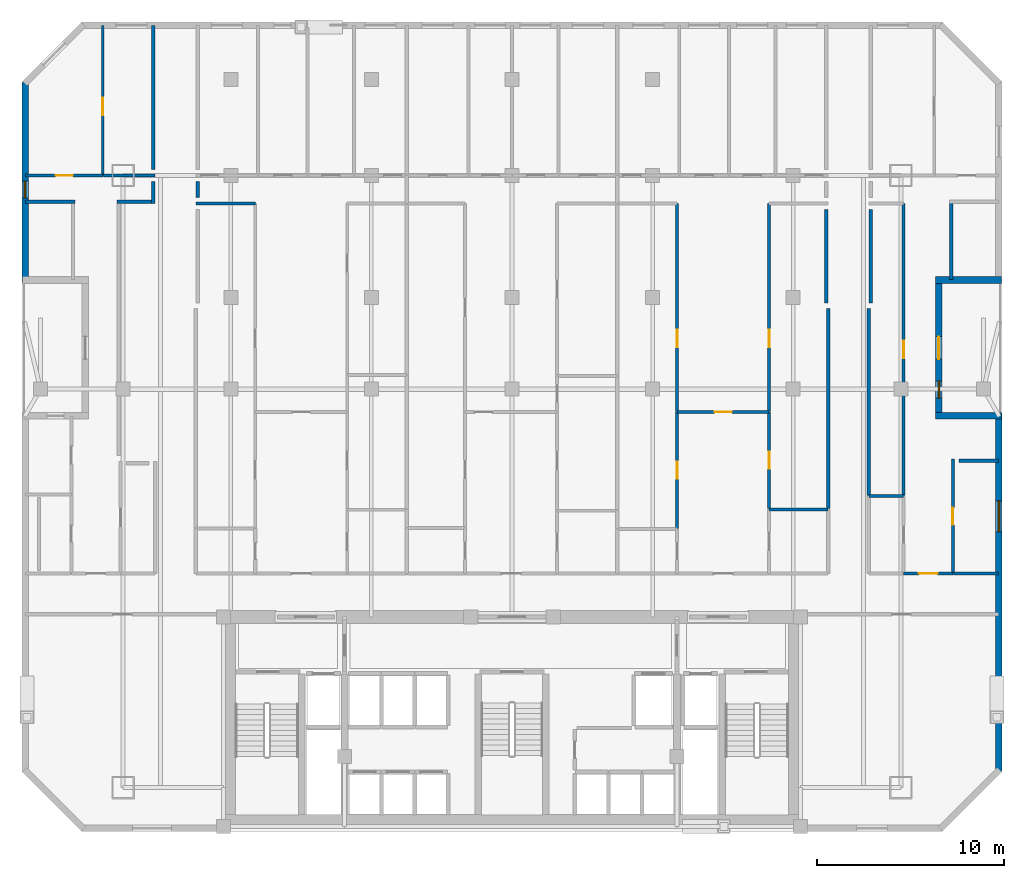
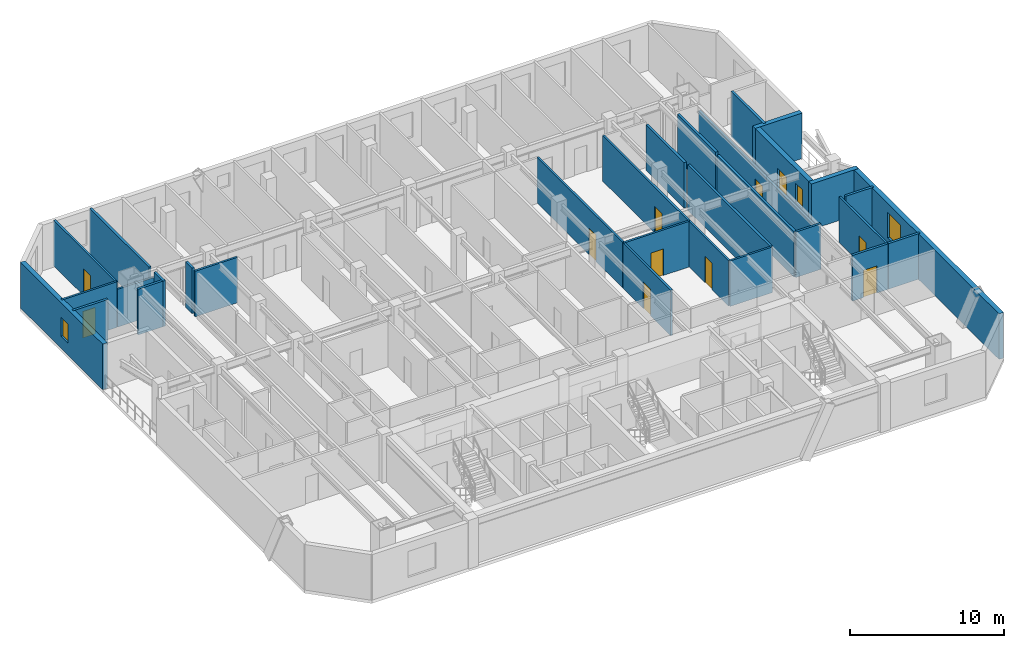
# One storey, part 6 of 11: 31 walls, 11 doors, 3 windows, 14 openings.
"""IFC4 building model written with IfcOpenShell, lengths in metres."""

from ifc_helpers import new_model, si_unit, direction, frame, frame_2d, origin, place, context, subcontext, project, spatial, rectangle, extrude, material, layer, layer_set, type_object, element, fill, save


model = new_model("IFC4")

# Units and contexts
model_context = context("Model", 3, precision=1e-05, world=origin(), true_north=direction((0.0, 1.0)))
body_context = subcontext(model_context, "Body", "Model", "MODEL_VIEW")
ifc_project = project(units=[si_unit("LENGTHUNIT", "METRE"), si_unit("AREAUNIT", "SQUARE_METRE"), si_unit("VOLUMEUNIT", "CUBIC_METRE"), si_unit("PLANEANGLEUNIT", "RADIAN"), si_unit("MASSUNIT", "GRAM", prefix="KILO")], contexts=[model_context])

# Site, building, storey
site_placement = place(None, origin())
site = spatial("IfcSite", under=ifc_project, at=site_placement, CompositionType="ELEMENT")
building_placement = place(site_placement, origin())
building = spatial("IfcBuilding", under=site, at=building_placement, Name="Ventersveld Concourse Tower", CompositionType="ELEMENT")
storey_placement = place(building_placement, frame((0.0, 0.0, 111.85009765625)))
storey = spatial("IfcBuildingStorey", under=building, at=storey_placement, Name="L27", CompositionType="ELEMENT", Elevation=111.85009765625)

# Wall, opening, door
ifc_material_1 = material(Name="Fire-rated autoclaved aerated masonry blockwork", Category="masonry")
ifc_layer_1 = layer(ifc_material_1, 0.179931640625)
ifc_layer_set_1 = layer_set([ifc_layer_1], Name="Fire-rated autoclaved aerated masonry blockwork")
wall_type_1 = type_object("IfcWallType", Name="WL-CORR-180", PredefinedType="PARTITIONING", material=ifc_layer_set_1)
wall_1_placement = place(storey_placement, frame((49.637451171875, 13.77001953125, 0.0), z_axis=(0.0, 0.0, 1.0), x_axis=(1.0, 0.0, 0.0)))
wall_1 = element("IfcWall", 1, at=wall_1_placement, inside=storey, type_object=wall_type_1, Name="L27 Interior Partition SP-L27-COR-SP-L27-27NE-LIV", PredefinedType="PARTITIONING", context=body_context, shape_type="SweptSolid", body=[
    extrude(rectangle(XDim=2.635986328125, YDim=0.179931640625, at=frame_2d((1.31787109375, 0.0))), origin(), (0.0, 0.0, 1.0), 3.599853515625),
])
opening_1_placement = place(wall_1_placement, frame((0.818115234375, 0.0, 0.0)))
opening_1 = element("IfcOpeningElement", 2, at=opening_1_placement, cuts=wall_1, Name="Opening FD3", PredefinedType="OPENING", context=body_context, shape_type="SweptSolid", body=[
    extrude(rectangle(XDim=1.0, YDim=2.14990234375, at=frame_2d((0.5, 1.074951171875))), frame((0.0, 0.10009765625, 0.0), z_axis=(0.0, -1.0, 0.0), x_axis=(1.0, 0.0, 0.0)), (0.0, 0.0, 1.0), 0.199951171875),
])
ifc_material_2 = material(Name="Solid-core hardwood veneer timber", Category="wood")
door_type_1 = type_object("IfcDoorType", Name="DR-FLAT-100", OperationType="NOTDEFINED", PredefinedType="DOOR", material=ifc_material_2)
door_1_placement = place(opening_1_placement, origin())
door_1 = element("IfcDoor", 3, at=door_1_placement, inside=storey, type_object=door_type_1, Name="L27 Interior Door SP-L27-COR to SP-L27-27NE-LIV (FD-L27-1323)", OperationType="SINGLE_SWING_LEFT", OverallHeight=2.14990234375, OverallWidth=1.0, PredefinedType="DOOR", context=body_context, shape_type="SweptSolid", body=[
    extrude(rectangle(XDim=1.0, YDim=2.14990234375, at=frame_2d((0.5, 1.074951171875))), frame((0.0, 0.02490234375, 0.0), z_axis=(0.0, -1.0, 0.0), x_axis=(1.0, 0.0, 0.0)), (0.0, 0.0, 1.0), 0.050048828125),
])
fill(opening_1, door_1)

# Walls
wall_2_placement = place(storey_placement, frame((47.7900390625, 17.931396484375, 0.0), z_axis=(0.0, 0.0, 1.0), x_axis=(0.0, 1.0, 0.0)))
element("IfcWall", 4, at=wall_2_placement, inside=storey, type_object=wall_type_1, Name="L27 Interior Partition SP-L27-COR-SP-L27-27NE-OFFL0", PredefinedType="PARTITIONING", context=body_context, shape_type="SweptSolid", body=[
    extrude(rectangle(XDim=9.963623046875, YDim=0.179931640625, at=frame_2d((4.98193359375, 0.0))), origin(), (0.0, 0.0, 1.0), 3.599853515625),
])
wall_3_placement = place(storey_placement, frame((52.303466796875, 13.77001953125, 0.0), z_axis=(0.0, 0.0, 1.0), x_axis=(1.0, 0.0, 0.0)))
element("IfcWall", 5, at=wall_3_placement, inside=storey, type_object=wall_type_1, Name="L27 Interior Partition SP-L27-COR-SP-L27-27NE-KIT", PredefinedType="PARTITIONING", context=body_context, shape_type="SweptSolid", body=[
    extrude(rectangle(XDim=2.386474609375, YDim=0.179931640625, at=frame_2d((1.193359375, 0.0))), origin(), (0.0, 0.0, 1.0), 3.599853515625),
])
wall_4_placement = place(storey_placement, frame((45.610107421875, 17.224609375, 0.0), z_axis=(0.0, 0.0, 1.0), x_axis=(0.0, 1.0, 0.0)))
element("IfcWall", 6, at=wall_4_placement, inside=storey, type_object=wall_type_1, Name="L27 Interior Partition SP-L27-COR-SP-L27-27N3-DENR", PredefinedType="PARTITIONING", context=body_context, shape_type="SweptSolid", body=[
    extrude(rectangle(XDim=10.67041015625, YDim=0.179931640625, at=frame_2d((5.335205078125, 0.0))), origin(), (0.0, 0.0, 1.0), 3.599853515625),
])
wall_5_placement = place(storey_placement, frame((5.42919921875, 33.590087890625, 0.0), z_axis=(0.0, 0.0, 1.0), x_axis=(-1.0, 0.0, 0.0)))
element("IfcWall", 7, at=wall_5_placement, inside=storey, type_object=wall_type_1, Name="L27 Room Enclosure Wall SP-L27-27NW-LIV", PredefinedType="PARTITIONING", context=body_context, shape_type="SweptSolid", body=[
    extrude(rectangle(XDim=2.619140625, YDim=0.179931640625, at=frame_2d((1.3095703125, 0.0))), origin(), (0.0, 0.0, 1.0), 3.599853515625),
])
wall_6_placement = place(storey_placement, frame((9.6201171875, 34.675048828125, 0.0), z_axis=(0.0, 0.0, 1.0), x_axis=(0.0, -1.0, 0.0)))
element("IfcWall", 8, at=wall_6_placement, inside=storey, type_object=wall_type_1, Name="L27 Room Enclosure Wall SP-L27-27NW-LIV", PredefinedType="PARTITIONING", context=body_context, shape_type="SweptSolid", body=[
    extrude(rectangle(XDim=1.179931640625, YDim=0.179931640625, at=frame_2d((0.58984375, 0.0))), origin(), (0.0, 0.0, 1.0), 3.599853515625),
])
wall_7_placement = place(storey_placement, frame((9.715087890625, 33.590087890625, 0.0), z_axis=(0.0, 0.0, 1.0), x_axis=(-1.0, 0.0, 0.0)))
element("IfcWall", 9, at=wall_7_placement, inside=storey, type_object=wall_type_1, Name="L27 Room Enclosure Wall SP-L27-27NW-LIV", PredefinedType="PARTITIONING", context=body_context, shape_type="SweptSolid", body=[
    extrude(rectangle(XDim=2.02978515625, YDim=0.179931640625, at=frame_2d((1.014892578125, 0.0))), origin(), (0.0, 0.0, 1.0), 3.599853515625),
])
wall_8_placement = place(storey_placement, frame((9.6201171875, 42.989990234375, 0.0), z_axis=(0.0, 0.0, 1.0), x_axis=(0.0, -1.0, 0.0)))
element("IfcWall", 10, at=wall_8_placement, inside=storey, type_object=wall_type_1, Name="L27 Room Enclosure Wall SP-L27-27NW-BR2", PredefinedType="PARTITIONING", context=body_context, shape_type="SweptSolid", body=[
    extrude(rectangle(XDim=7.6650390625, YDim=0.179931640625, at=frame_2d((3.83251953125, 0.0))), origin(), (0.0, 0.0, 1.0), 3.599853515625),
])
wall_9_placement = place(storey_placement, frame((52.178466796875, 33.68505859375, 0.0), z_axis=(0.0, 0.0, 1.0), x_axis=(0.0, -1.0, 0.0)))
element("IfcWall", 11, at=wall_9_placement, inside=storey, type_object=wall_type_1, Name="L27 Room Enclosure Wall SP-L27-27NE-LIV", PredefinedType="PARTITIONING", context=body_context, shape_type="SweptSolid", body=[
    extrude(rectangle(XDim=4.22509765625, YDim=0.179931640625, at=frame_2d((2.112548828125, 0.0))), origin(), (0.0, 0.0, 1.0), 3.599853515625),
])
wall_10_placement = place(storey_placement, frame((47.8798828125, 28.2099609375, 0.0), z_axis=(0.0, 0.0, 1.0), x_axis=(0.0, 1.0, 0.0)))
element("IfcWall", 12, at=wall_10_placement, inside=storey, type_object=wall_type_1, Name="L27 Room Enclosure Wall SP-L27-27NE-OFFL0", PredefinedType="PARTITIONING", context=body_context, shape_type="SweptSolid", body=[
    extrude(rectangle(XDim=4.965087890625, YDim=0.179931640625, at=frame_2d((2.482421875, 0.0))), origin(), (0.0, 0.0, 1.0), 3.599853515625),
])
wall_11_placement = place(storey_placement, frame((52.593505859375, 19.780029296875, 0.0), z_axis=(0.0, 0.0, 1.0), x_axis=(1.0, 0.0, 0.0)))
element("IfcWall", 13, at=wall_11_placement, inside=storey, type_object=wall_type_1, Name="L27 Room Enclosure Wall SP-L27-27NE-KIT", PredefinedType="PARTITIONING", context=body_context, shape_type="SweptSolid", body=[
    extrude(rectangle(XDim=2.096435546875, YDim=0.179931640625, at=frame_2d((1.04833984375, 0.0))), origin(), (0.0, 0.0, 1.0), 3.599853515625),
])
wall_12_placement = place(storey_placement, frame((11.97998046875, 33.824951171875, 0.0), z_axis=(0.0, 0.0, 1.0), x_axis=(0.0, 1.0, 0.0)))
element("IfcWall", 14, at=wall_12_placement, inside=storey, type_object=wall_type_1, Name="L27 Room Enclosure Wall SP-L27-27N1-LIV", PredefinedType="PARTITIONING", context=body_context, shape_type="SweptSolid", body=[
    extrude(rectangle(XDim=0.85009765625, YDim=0.179931640625, at=frame_2d((0.425048828125, 0.0))), origin(), (0.0, 0.0, 1.0), 3.599853515625),
])
wall_13_placement = place(storey_placement, frame((45.52001953125, 33.175048828125, 0.0), z_axis=(0.0, 0.0, 1.0), x_axis=(0.0, -1.0, 0.0)))
element("IfcWall", 15, at=wall_13_placement, inside=storey, type_object=wall_type_1, Name="L27 Room Enclosure Wall SP-L27-27N3-DENR", PredefinedType="PARTITIONING", context=body_context, shape_type="SweptSolid", body=[
    extrude(rectangle(XDim=4.965087890625, YDim=0.179931640625, at=frame_2d((2.482421875, 0.0))), origin(), (0.0, 0.0, 1.0), 3.599853515625),
])

# Wall, opening, door
ifc_material_3 = material(Name="Autoclaved aerated masonry blockwork", Category="masonry")
ifc_layer_2 = layer(ifc_material_3, 0.14990234375)
ifc_layer_set_2 = layer_set([ifc_layer_2], Name="Autoclaved aerated masonry blockwork")
wall_type_2 = type_object("IfcWallType", Name="WL-INT-150", PredefinedType="PARTITIONING", material=ifc_layer_set_2)
wall_14_placement = place(storey_placement, frame((2.81005859375, 35.0, 0.0), z_axis=(0.0, 0.0, 1.0), x_axis=(1.0, 0.0, 0.0)))
wall_14 = element("IfcWall", 16, at=wall_14_placement, inside=storey, type_object=wall_type_2, Name="L27 Interior Partition SP-L27-27NW-LIV-SP-L27-27NW-BR1", PredefinedType="PARTITIONING", context=body_context, shape_type="SweptSolid", body=[
    extrude(rectangle(XDim=4.113037109375, YDim=0.14990234375, at=frame_2d((2.056640625, 0.0))), origin(), (0.0, 0.0, 1.0), 3.599853515625),
])
opening_2_placement = place(wall_14_placement, frame((1.5966796875, 0.0, 0.0)))
opening_2 = element("IfcOpeningElement", 17, at=opening_2_placement, cuts=wall_14, Name="Opening ID1", PredefinedType="OPENING", context=body_context, shape_type="SweptSolid", body=[
    extrude(rectangle(XDim=0.919921875, YDim=2.10009765625, at=frame_2d((0.4599609375, 1.050048828125))), frame((0.0, 0.0849609375, 0.0), z_axis=(0.0, -1.0, 0.0), x_axis=(1.0, 0.0, 0.0)), (0.0, 0.0, 1.0), 0.169921875),
])
door_type_2 = type_object("IfcDoorType", Name="DR-ROOM-092", OperationType="NOTDEFINED", PredefinedType="DOOR", material=ifc_material_2)
door_2_placement = place(opening_2_placement, origin())
door_2 = element("IfcDoor", 18, at=door_2_placement, inside=storey, type_object=door_type_2, Name="L27 Interior Door SP-L27-27NW-LIV to SP-L27-27NW-BR1 (D-L27-1330)", OperationType="SINGLE_SWING_RIGHT", OverallHeight=2.10009765625, OverallWidth=0.919921875, PredefinedType="DOOR", context=body_context, shape_type="SweptSolid", body=[
    extrude(rectangle(XDim=0.919921875, YDim=2.10009765625, at=frame_2d((0.4599609375, 1.050048828125))), frame((0.0, 0.02490234375, 0.0), z_axis=(0.0, -1.0, 0.0), x_axis=(1.0, 0.0, 0.0)), (0.0, 0.0, 1.0), 0.050048828125),
])
fill(opening_2, door_2)

# Wall
wall_15_placement = place(storey_placement, frame((6.953125, 35.0, 0.0), z_axis=(0.0, 0.0, 1.0), x_axis=(1.0, 0.0, 0.0)))
element("IfcWall", 19, at=wall_15_placement, inside=storey, type_object=wall_type_2, Name="L27 Interior Partition SP-L27-27NW-LIV-SP-L27-27NW-BR2", PredefinedType="PARTITIONING", context=body_context, shape_type="SweptSolid", body=[
    extrude(rectangle(XDim=2.761962890625, YDim=0.14990234375, at=frame_2d((1.380859375, 0.0))), origin(), (0.0, 0.0, 1.0), 2.982666015625),
])

# Wall, opening, door
wall_16_placement = place(storey_placement, frame((6.918212890625, 34.9951171875, 0.0), z_axis=(0.0, 0.0, 1.0), x_axis=(0.0, 1.0, 0.0)))
wall_16 = element("IfcWall", 20, at=wall_16_placement, inside=storey, type_object=wall_type_2, Name="L27 Interior Partition SP-L27-27NW-BR1-SP-L27-27NW-BR2", PredefinedType="PARTITIONING", context=body_context, shape_type="SweptSolid", body=[
    extrude(rectangle(XDim=7.994873046875, YDim=0.14990234375, at=frame_2d((3.99755859375, 0.0))), origin(), (0.0, 0.0, 1.0), 3.599853515625),
])
opening_3_placement = place(wall_16_placement, frame((3.22998046875, 0.0, 0.0)))
opening_3 = element("IfcOpeningElement", 21, at=opening_3_placement, cuts=wall_16, Name="Opening ID1", PredefinedType="OPENING", context=body_context, shape_type="SweptSolid", body=[
    extrude(rectangle(XDim=0.919921875, YDim=2.10009765625, at=frame_2d((0.4599609375, 1.050048828125))), frame((0.0, 0.0849609375, 0.0), z_axis=(0.0, -1.0, 0.0), x_axis=(1.0, 0.0, 0.0)), (0.0, 0.0, 1.0), 0.169921875),
])
door_3_placement = place(opening_3_placement, origin())
door_3 = element("IfcDoor", 22, at=door_3_placement, inside=storey, type_object=door_type_2, Name="L27 Interior Door Flat 27NW Bedroom 2 (D-L27-1372)", OperationType="SINGLE_SWING_LEFT", OverallHeight=2.10009765625, OverallWidth=0.919921875, PredefinedType="DOOR", context=body_context, shape_type="SweptSolid", body=[
    extrude(rectangle(XDim=0.919921875, YDim=2.10009765625, at=frame_2d((0.4599609375, 1.050048828125))), frame((0.0, 0.02490234375, 0.0), z_axis=(0.0, -1.0, 0.0), x_axis=(1.0, 0.0, 0.0)), (0.0, 0.0, 1.0), 0.050048828125),
])
fill(opening_3, door_3)

wall_17_placement = place(storey_placement, frame((49.642333984375, 17.931396484375, 0.0), z_axis=(0.0, 0.0, 1.0), x_axis=(0.0, 1.0, 0.0)))
wall_17 = element("IfcWall", 23, at=wall_17_placement, inside=storey, type_object=wall_type_2, Name="L27 Interior Partition SP-L27-27NE-LIV-SP-L27-27NE-OFFL0", PredefinedType="PARTITIONING", context=body_context, shape_type="SweptSolid", body=[
    extrude(rectangle(XDim=15.573486328125, YDim=0.14990234375, at=frame_2d((7.78662109375, 0.0))), origin(), (0.0, 0.0, 1.0), 3.055419921875),
])
opening_4_placement = place(wall_17_placement, frame((7.326904296875, 0.0, 0.0)))
opening_4 = element("IfcOpeningElement", 24, at=opening_4_placement, cuts=wall_17, Name="Opening ID1", PredefinedType="OPENING", context=body_context, shape_type="SweptSolid", body=[
    extrude(rectangle(XDim=0.919921875, YDim=2.10009765625, at=frame_2d((0.4599609375, 1.050048828125))), frame((0.0, 0.0849609375, 0.0), z_axis=(0.0, -1.0, 0.0), x_axis=(1.0, 0.0, 0.0)), (0.0, 0.0, 1.0), 0.169921875),
])
door_4_placement = place(opening_4_placement, origin())
door_4 = element("IfcDoor", 25, at=door_4_placement, inside=storey, type_object=door_type_2, Name="L27 Interior Door SP-L27-27NE-LIV to SP-L27-27NE-OFFL0 (D-L27-1333)", OperationType="SINGLE_SWING_LEFT", OverallHeight=2.10009765625, OverallWidth=0.919921875, PredefinedType="DOOR", context=body_context, shape_type="SweptSolid", body=[
    extrude(rectangle(XDim=0.919921875, YDim=2.10009765625, at=frame_2d((0.4599609375, 1.050048828125))), frame((0.0, 0.02490234375, 0.0), z_axis=(0.0, -1.0, 0.0), x_axis=(1.0, 0.0, 0.0)), (0.0, 0.0, 1.0), 0.050048828125),
])
fill(opening_4, door_4)

wall_18_placement = place(storey_placement, frame((52.268310546875, 13.764892578125, 0.0), z_axis=(0.0, 0.0, 1.0), x_axis=(0.0, 1.0, 0.0)))
wall_18 = element("IfcWall", 26, at=wall_18_placement, inside=storey, type_object=wall_type_2, Name="L27 Interior Partition SP-L27-27NE-LIV-SP-L27-27NE-KIT", PredefinedType="PARTITIONING", context=body_context, shape_type="SweptSolid", body=[
    extrude(rectangle(XDim=6.110107421875, YDim=0.14990234375, at=frame_2d((3.05517578125, 0.0))), origin(), (0.0, 0.0, 1.0), 3.599853515625),
])
opening_5_placement = place(wall_18_placement, frame((2.594970703125, 0.0, 0.0)))
opening_5 = element("IfcOpeningElement", 27, at=opening_5_placement, cuts=wall_18, Name="Opening ID1", PredefinedType="OPENING", context=body_context, shape_type="SweptSolid", body=[
    extrude(rectangle(XDim=0.919921875, YDim=2.10009765625, at=frame_2d((0.4599609375, 1.050048828125))), frame((0.0, 0.0849609375, 0.0), z_axis=(0.0, -1.0, 0.0), x_axis=(1.0, 0.0, 0.0)), (0.0, 0.0, 1.0), 0.169921875),
])
door_5_placement = place(opening_5_placement, origin())
door_5 = element("IfcDoor", 28, at=door_5_placement, inside=storey, type_object=door_type_2, Name="L27 Interior Door SP-L27-27NE-LIV to SP-L27-27NE-KIT (D-L27-1334)", OperationType="SINGLE_SWING_RIGHT", OverallHeight=2.10009765625, OverallWidth=0.919921875, PredefinedType="DOOR", context=body_context, shape_type="SweptSolid", body=[
    extrude(rectangle(XDim=0.919921875, YDim=2.10009765625, at=frame_2d((0.4599609375, 1.050048828125))), frame((0.0, 0.02490234375, 0.0), z_axis=(0.0, -1.0, 0.0), x_axis=(1.0, 0.0, 0.0)), (0.0, 0.0, 1.0), 0.050048828125),
])
fill(opening_5, door_5)

# Wall
wall_19_placement = place(storey_placement, frame((11.885009765625, 33.5, 0.0), z_axis=(0.0, 0.0, 1.0), x_axis=(1.0, 0.0, 0.0)))
element("IfcWall", 29, at=wall_19_placement, inside=storey, type_object=wall_type_2, Name="L27 Interior Partition SP-L27-27N1-LIV-SP-L27-27N1-OFFL0", PredefinedType="PARTITIONING", context=body_context, shape_type="SweptSolid", body=[
    extrude(rectangle(XDim=3.17626953125, YDim=0.14990234375, at=frame_2d((1.588134765625, 0.0))), origin(), (0.0, 0.0, 1.0), 3.599853515625),
])

# Wall, opening, door
wall_20_placement = place(storey_placement, frame((37.55419921875, 22.384521484375, 0.0), z_axis=(0.0, 0.0, 1.0), x_axis=(1.0, 0.0, 0.0)))
wall_20 = element("IfcWall", 30, at=wall_20_placement, inside=storey, type_object=wall_type_2, Name="L27 Interior Partition SP-L27-27N3-FOY-SP-L27-27N3-LIV", PredefinedType="PARTITIONING", context=body_context, shape_type="SweptSolid", body=[
    extrude(rectangle(XDim=4.91748046875, YDim=0.14990234375, at=frame_2d((2.458740234375, 0.0))), origin(), (0.0, 0.0, 1.0), 3.599853515625),
])
opening_6_placement = place(wall_20_placement, frame((1.998779296875, 0.0, 0.0)))
opening_6 = element("IfcOpeningElement", 31, at=opening_6_placement, cuts=wall_20, Name="Opening ID1", PredefinedType="OPENING", context=body_context, shape_type="SweptSolid", body=[
    extrude(rectangle(XDim=0.919921875, YDim=2.10009765625, at=frame_2d((0.4599609375, 1.050048828125))), frame((0.0, 0.0849609375, 0.0), z_axis=(0.0, -1.0, 0.0), x_axis=(1.0, 0.0, 0.0)), (0.0, 0.0, 1.0), 0.169921875),
])
door_6_placement = place(opening_6_placement, origin())
door_6 = element("IfcDoor", 32, at=door_6_placement, inside=storey, type_object=door_type_2, Name="L27 Interior Door SP-L27-27N3-FOY to SP-L27-27N3-LIV (D-L27-1361)", OperationType="SINGLE_SWING_LEFT", OverallHeight=2.10009765625, OverallWidth=0.919921875, PredefinedType="DOOR", context=body_context, shape_type="SweptSolid", body=[
    extrude(rectangle(XDim=0.919921875, YDim=2.10009765625, at=frame_2d((0.4599609375, 1.050048828125))), frame((0.0, 0.02490234375, 0.0), z_axis=(0.0, -1.0, 0.0), x_axis=(1.0, 0.0, 0.0)), (0.0, 0.0, 1.0), 0.050048828125),
])
fill(opening_6, door_6)

wall_21_placement = place(storey_placement, frame((37.55908203125, 16.17822265625, 0.0), z_axis=(0.0, 0.0, 1.0), x_axis=(0.0, 1.0, 0.0)))
wall_21 = element("IfcWall", 33, at=wall_21_placement, inside=storey, type_object=wall_type_2, Name="L27 Interior Partition SP-L27-27N3-FOY-SP-L27-27N3-DENL", PredefinedType="PARTITIONING", context=body_context, shape_type="SweptSolid", body=[
    extrude(rectangle(XDim=6.211181640625, YDim=0.14990234375, at=frame_2d((3.10546875, 0.0))), origin(), (0.0, 0.0, 1.0), 3.599853515625),
])
opening_7_placement = place(wall_21_placement, frame((2.6455078125, 0.0, 0.0)))
opening_7 = element("IfcOpeningElement", 34, at=opening_7_placement, cuts=wall_21, Name="Opening ID1", PredefinedType="OPENING", context=body_context, shape_type="SweptSolid", body=[
    extrude(rectangle(XDim=0.919921875, YDim=2.10009765625, at=frame_2d((0.4599609375, 1.050048828125))), frame((0.0, 0.0849609375, 0.0), z_axis=(0.0, -1.0, 0.0), x_axis=(1.0, 0.0, 0.0)), (0.0, 0.0, 1.0), 0.169921875),
])
door_7_placement = place(opening_7_placement, origin())
door_7 = element("IfcDoor", 35, at=door_7_placement, inside=storey, type_object=door_type_2, Name="L27 Interior Door SP-L27-27N3-FOY to SP-L27-27N3-DENL (D-L27-1363)", OperationType="SINGLE_SWING_LEFT", OverallHeight=2.10009765625, OverallWidth=0.919921875, PredefinedType="DOOR", context=body_context, shape_type="SweptSolid", body=[
    extrude(rectangle(XDim=0.919921875, YDim=2.10009765625, at=frame_2d((0.4599609375, 1.050048828125))), frame((0.0, 0.02490234375, 0.0), z_axis=(0.0, -1.0, 0.0), x_axis=(1.0, 0.0, 0.0)), (0.0, 0.0, 1.0), 0.050048828125),
])
fill(opening_7, door_7)

wall_22_placement = place(storey_placement, frame((42.466796875, 17.224609375, 0.0), z_axis=(0.0, 0.0, 1.0), x_axis=(0.0, 1.0, 0.0)))
wall_22 = element("IfcWall", 36, at=wall_22_placement, inside=storey, type_object=wall_type_2, Name="L27 Interior Partition SP-L27-27N3-FOY-SP-L27-27N3-DENR", PredefinedType="PARTITIONING", context=body_context, shape_type="SweptSolid", body=[
    extrude(rectangle(XDim=5.164794921875, YDim=0.14990234375, at=frame_2d((2.58251953125, 0.0))), origin(), (0.0, 0.0, 1.0), 3.599853515625),
])
opening_8_placement = place(wall_22_placement, frame((2.122314453125, 0.0, 0.0)))
opening_8 = element("IfcOpeningElement", 37, at=opening_8_placement, cuts=wall_22, Name="Opening ID1", PredefinedType="OPENING", context=body_context, shape_type="SweptSolid", body=[
    extrude(rectangle(XDim=0.919921875, YDim=2.10009765625, at=frame_2d((0.4599609375, 1.050048828125))), frame((0.0, 0.0849609375, 0.0), z_axis=(0.0, -1.0, 0.0), x_axis=(1.0, 0.0, 0.0)), (0.0, 0.0, 1.0), 0.169921875),
])
door_8_placement = place(opening_8_placement, origin())
door_8 = element("IfcDoor", 38, at=door_8_placement, inside=storey, type_object=door_type_2, Name="L27 Interior Door SP-L27-27N3-FOY to SP-L27-27N3-DENR (D-L27-1365)", OperationType="SINGLE_SWING_LEFT", OverallHeight=2.10009765625, OverallWidth=0.919921875, PredefinedType="DOOR", context=body_context, shape_type="SweptSolid", body=[
    extrude(rectangle(XDim=0.919921875, YDim=2.10009765625, at=frame_2d((0.4599609375, 1.050048828125))), frame((0.0, 0.02490234375, 0.0), z_axis=(0.0, -1.0, 0.0), x_axis=(1.0, 0.0, 0.0)), (0.0, 0.0, 1.0), 0.050048828125),
])
fill(opening_8, door_8)

wall_23_placement = place(storey_placement, frame((37.55908203125, 22.41943359375, 0.0), z_axis=(0.0, 0.0, 1.0), x_axis=(0.0, 1.0, 0.0)))
wall_23 = element("IfcWall", 39, at=wall_23_placement, inside=storey, type_object=wall_type_2, Name="L27 Interior Partition SP-L27-27N3-LIV-SP-L27-27N3-DENL", PredefinedType="PARTITIONING", context=body_context, shape_type="SweptSolid", body=[
    extrude(rectangle(XDim=11.08544921875, YDim=0.14990234375, at=frame_2d((5.542724609375, 0.0))), origin(), (0.0, 0.0, 1.0), 3.599853515625),
])
opening_9_placement = place(wall_23_placement, frame((3.419921875, 0.0, 0.0)))
opening_9 = element("IfcOpeningElement", 40, at=opening_9_placement, cuts=wall_23, Name="Opening ID1", PredefinedType="OPENING", context=body_context, shape_type="SweptSolid", body=[
    extrude(rectangle(XDim=0.919921875, YDim=2.10009765625, at=frame_2d((0.4599609375, 1.050048828125))), frame((0.0, 0.0849609375, 0.0), z_axis=(0.0, -1.0, 0.0), x_axis=(1.0, 0.0, 0.0)), (0.0, 0.0, 1.0), 0.169921875),
])
door_9_placement = place(opening_9_placement, origin())
door_9 = element("IfcDoor", 41, at=door_9_placement, inside=storey, type_object=door_type_2, Name="L27 Interior Door SP-L27-27N3-LIV to SP-L27-27N3-DENL (D-L27-1366)", OperationType="SINGLE_SWING_RIGHT", OverallHeight=2.10009765625, OverallWidth=0.919921875, PredefinedType="DOOR", context=body_context, shape_type="SweptSolid", body=[
    extrude(rectangle(XDim=0.919921875, YDim=2.10009765625, at=frame_2d((0.4599609375, 1.050048828125))), frame((0.0, 0.02490234375, 0.0), z_axis=(0.0, -1.0, 0.0), x_axis=(1.0, 0.0, 0.0)), (0.0, 0.0, 1.0), 0.050048828125),
])
fill(opening_9, door_9)

wall_24_placement = place(storey_placement, frame((42.466796875, 22.41943359375, 0.0), z_axis=(0.0, 0.0, 1.0), x_axis=(0.0, 1.0, 0.0)))
wall_24 = element("IfcWall", 42, at=wall_24_placement, inside=storey, type_object=wall_type_2, Name="L27 Interior Partition SP-L27-27N3-LIV-SP-L27-27N3-DENR", PredefinedType="PARTITIONING", context=body_context, shape_type="SweptSolid", body=[
    extrude(rectangle(XDim=11.08544921875, YDim=0.14990234375, at=frame_2d((5.542724609375, 0.0))), origin(), (0.0, 0.0, 1.0), 3.599853515625),
])
opening_10_placement = place(wall_24_placement, frame((3.419921875, 0.0, 0.0)))
opening_10 = element("IfcOpeningElement", 43, at=opening_10_placement, cuts=wall_24, Name="Opening ID1", PredefinedType="OPENING", context=body_context, shape_type="SweptSolid", body=[
    extrude(rectangle(XDim=0.919921875, YDim=2.10009765625, at=frame_2d((0.4599609375, 1.050048828125))), frame((0.0, 0.0849609375, 0.0), z_axis=(0.0, -1.0, 0.0), x_axis=(1.0, 0.0, 0.0)), (0.0, 0.0, 1.0), 0.169921875),
])
door_10_placement = place(opening_10_placement, origin())
door_10 = element("IfcDoor", 44, at=door_10_placement, inside=storey, type_object=door_type_2, Name="L27 Interior Door SP-L27-27N3-LIV to SP-L27-27N3-DENR (D-L27-1367)", OperationType="SINGLE_SWING_LEFT", OverallHeight=2.10009765625, OverallWidth=0.919921875, PredefinedType="DOOR", context=body_context, shape_type="SweptSolid", body=[
    extrude(rectangle(XDim=0.919921875, YDim=2.10009765625, at=frame_2d((0.4599609375, 1.050048828125))), frame((0.0, 0.02490234375, 0.0), z_axis=(0.0, -1.0, 0.0), x_axis=(1.0, 0.0, 0.0)), (0.0, 0.0, 1.0), 0.050048828125),
])
fill(opening_10, door_10)

# Wall
wall_25_placement = place(storey_placement, frame((42.4619140625, 17.189697265625, 0.0), z_axis=(0.0, 0.0, 1.0), x_axis=(1.0, 0.0, 0.0)))
element("IfcWall", 45, at=wall_25_placement, inside=storey, type_object=wall_type_2, Name="L27 Interior Partition SP-L27-27N3-KIT-SP-L27-27N3-DENR", PredefinedType="PARTITIONING", context=body_context, shape_type="SweptSolid", body=[
    extrude(rectangle(XDim=3.153076171875, YDim=0.14990234375, at=frame_2d((1.57666015625, 0.0))), origin(), (0.0, 0.0, 1.0), 3.599853515625),
])

# Wall, opening, window
ifc_material_4 = material(Name="Precast concrete C45/55", Category="concrete")
ifc_layer_3 = layer(ifc_material_4, 0.35009765625)
ifc_layer_set_3 = layer_set([ifc_layer_3], Name="Precast concrete C45/55")
wall_type_3 = type_object("IfcWallType", Name="WL-PREC-350", PredefinedType="SOLIDWALL", material=ifc_layer_set_3)
wall_26_placement = place(storey_placement, frame((54.72509765625, 3.239990234375, 0.0), z_axis=(0.0, 0.0, 1.0), x_axis=(0.0, 1.0, 0.0)))
wall_26 = element("IfcWall", 46, at=wall_26_placement, inside=storey, type_object=wall_type_3, Name="L27 Highveld Precast Facade Wall E03", PredefinedType="SOLIDWALL", context=body_context, shape_type="SweptSolid", body=[
    extrude(rectangle(XDim=19.070068359375, YDim=0.35009765625, at=frame_2d((9.53515625, 0.0))), origin(), (0.0, 0.0, 1.0), 3.599853515625),
])
opening_11_placement = place(wall_26_placement, frame((12.755126953125, 0.0, 0.8798828125)))
opening_11 = element("IfcOpeningElement", 47, at=opening_11_placement, cuts=wall_26, Name="Opening W6", PredefinedType="OPENING", context=body_context, shape_type="SweptSolid", body=[
    extrude(rectangle(XDim=1.64990234375, YDim=2.0, at=frame_2d((0.824951171875, 1.0))), frame((0.0, 0.18505859375, 0.0), z_axis=(0.0, -1.0, 0.0), x_axis=(1.0, 0.0, 0.0)), (0.0, 0.0, 1.0), 0.3701171875),
])
ifc_material_5 = material(Name="Tempered acoustic Low-E IGU", Category="glass")
window_type_1 = type_object("IfcWindowType", Name="WIN-165x200", PartitioningType="SINGLE_PANEL", PredefinedType="WINDOW", material=ifc_material_5)
window_1_placement = place(opening_11_placement, origin())
window_1 = element("IfcWindow", 48, at=window_1_placement, inside=storey, type_object=window_type_1, Name="L27 Punched Low-E Window W-0326", OverallHeight=2.0, OverallWidth=1.64990234375, PartitioningType="SINGLE_PANEL", PredefinedType="WINDOW", context=body_context, shape_type="SweptSolid", body=[
    extrude(rectangle(XDim=1.64990234375, YDim=2.0, at=frame_2d((0.824951171875, 1.0))), frame((0.0, 0.030029296875, 0.0), z_axis=(0.0, -1.0, 0.0), x_axis=(1.0, 0.0, 0.0)), (0.0, 0.0, 1.0), 0.06005859375),
])
fill(opening_11, window_1)

# Wall
wall_27_placement = place(storey_placement, frame((54.860107421875, 22.175048828125, 0.0), z_axis=(0.0, 0.0, 1.0), x_axis=(-1.0, 0.0, 0.0)))
element("IfcWall", 49, at=wall_27_placement, inside=storey, type_object=wall_type_3, Name="L27 Highveld Precast Facade Wall E04", PredefinedType="SOLIDWALL", context=body_context, shape_type="SweptSolid", body=[
    extrude(rectangle(XDim=3.510009765625, YDim=0.35009765625, at=frame_2d((1.7548828125, 0.0))), origin(), (0.0, 0.0, 1.0), 3.599853515625),
])

# Wall, openings, door, window
wall_28_placement = place(storey_placement, frame((51.52490234375, 22.35009765625, 0.0), z_axis=(0.0, 0.0, 1.0), x_axis=(0.0, 1.0, 0.0)))
wall_28 = element("IfcWall", 50, at=wall_28_placement, inside=storey, type_object=wall_type_3, Name="L27 Highveld Precast Facade Wall E05", PredefinedType="SOLIDWALL", context=body_context, shape_type="SweptSolid", body=[
    extrude(rectangle(XDim=6.89990234375, YDim=0.35009765625, at=frame_2d((3.449951171875, 0.0))), origin(), (0.0, 0.0, 1.0), 3.599853515625),
])
opening_12_placement = place(wall_28_placement, frame((2.85009765625, 0.0, 0.0)))
opening_12 = element("IfcOpeningElement", 51, at=opening_12_placement, cuts=wall_28, Name="Opening TD1", PredefinedType="OPENING", context=body_context, shape_type="SweptSolid", body=[
    extrude(rectangle(XDim=1.199951171875, YDim=2.199951171875, at=frame_2d((0.60009765625, 1.10009765625))), frame((0.0, 0.18505859375, 0.0), z_axis=(0.0, -1.0, 0.0), x_axis=(1.0, 0.0, 0.0)), (0.0, 0.0, 1.0), 0.3701171875),
])
opening_13_placement = place(wall_28_placement, frame((0.780029296875, 0.0, 0.949951171875)))
opening_13 = element("IfcOpeningElement", 52, at=opening_13_placement, cuts=wall_28, Name="Opening W4", PredefinedType="OPENING", context=body_context, shape_type="SweptSolid", body=[
    extrude(rectangle(XDim=0.89990234375, YDim=1.5, at=frame_2d((0.449951171875, 0.75))), frame((0.0, 0.18505859375, 0.0), z_axis=(0.0, -1.0, 0.0), x_axis=(1.0, 0.0, 0.0)), (0.0, 0.0, 1.0), 0.3701171875),
])
ifc_material_6 = material(Name="Anodised aluminium EN AW-6063-T6", Category="aluminium")
door_type_3 = type_object("IfcDoorType", Name="DR-TERR-120", OperationType="NOTDEFINED", PredefinedType="DOOR", material=ifc_material_6)
door_11_placement = place(opening_12_placement, frame((1.199951171875, 0.0, 0.0), z_axis=(0.0, 0.0, 1.0), x_axis=(-1.0, 0.0, 0.0)))
door_11 = element("IfcDoor", 53, at=door_11_placement, inside=storey, type_object=door_type_3, Name="L27 Stepped Valley Terrace Door TD-L27-02", OperationType="SINGLE_SWING_LEFT", OverallHeight=2.199951171875, OverallWidth=1.199951171875, PredefinedType="DOOR", context=body_context, shape_type="SweptSolid", body=[
    extrude(rectangle(XDim=1.199951171875, YDim=2.199951171875, at=frame_2d((0.60009765625, 1.10009765625))), frame((0.0, 0.02490234375, 0.0), z_axis=(0.0, -1.0, 0.0), x_axis=(1.0, 0.0, 0.0)), (0.0, 0.0, 1.0), 0.050048828125),
])
fill(opening_12, door_11)
window_type_2 = type_object("IfcWindowType", Name="WIN-090x150", PartitioningType="SINGLE_PANEL", PredefinedType="WINDOW", material=ifc_material_5)
window_2_placement = place(opening_13_placement, origin())
window_2 = element("IfcWindow", 54, at=window_2_placement, inside=storey, type_object=window_type_2, Name="L27 Punched Low-E Window W-0325", OverallHeight=1.5, OverallWidth=0.89990234375, PartitioningType="SINGLE_PANEL", PredefinedType="WINDOW", context=body_context, shape_type="SweptSolid", body=[
    extrude(rectangle(XDim=0.89990234375, YDim=1.5, at=frame_2d((0.449951171875, 0.75))), frame((0.0, 0.030029296875, 0.0), z_axis=(0.0, -1.0, 0.0), x_axis=(1.0, 0.0, 0.0)), (0.0, 0.0, 1.0), 0.06005859375),
])
fill(opening_13, window_2)

# Wall
wall_29_placement = place(storey_placement, frame((51.35009765625, 29.425048828125, 0.0), z_axis=(0.0, 0.0, 1.0), x_axis=(1.0, 0.0, 0.0)))
element("IfcWall", 55, at=wall_29_placement, inside=storey, type_object=wall_type_3, Name="L27 Highveld Precast Facade Wall E06", PredefinedType="SOLIDWALL", context=body_context, shape_type="SweptSolid", body=[
    extrude(rectangle(XDim=3.510009765625, YDim=0.35009765625, at=frame_2d((1.7548828125, 0.0))), origin(), (0.0, 0.0, 1.0), 3.599853515625),
])

# Wall, opening, window
wall_30_placement = place(storey_placement, frame((2.77490234375, 39.9599609375, 0.0), z_axis=(0.0, 0.0, 1.0), x_axis=(0.0, -1.0, 0.0)))
wall_30 = element("IfcWall", 56, at=wall_30_placement, inside=storey, type_object=wall_type_3, Name="L27 Highveld Precast Facade Wall E11", PredefinedType="SOLIDWALL", context=body_context, shape_type="SweptSolid", body=[
    extrude(rectangle(XDim=10.669921875, YDim=0.35009765625, at=frame_2d((5.3349609375, 0.0))), origin(), (0.0, 0.0, 1.0), 3.599853515625),
])
opening_14_placement = place(wall_30_placement, frame((5.260009765625, 0.0, 0.949951171875)))
opening_14 = element("IfcOpeningElement", 57, at=opening_14_placement, cuts=wall_30, Name="Opening W4", PredefinedType="OPENING", context=body_context, shape_type="SweptSolid", body=[
    extrude(rectangle(XDim=0.89990234375, YDim=1.5, at=frame_2d((0.449951171875, 0.75))), frame((0.0, 0.18505859375, 0.0), z_axis=(0.0, -1.0, 0.0), x_axis=(1.0, 0.0, 0.0)), (0.0, 0.0, 1.0), 0.3701171875),
])
window_3_placement = place(opening_14_placement, origin())
window_3 = element("IfcWindow", 58, at=window_3_placement, inside=storey, type_object=window_type_2, Name="L27 Punched Low-E Window W-0321", OverallHeight=1.5, OverallWidth=0.89990234375, PartitioningType="SINGLE_PANEL", PredefinedType="WINDOW", context=body_context, shape_type="SweptSolid", body=[
    extrude(rectangle(XDim=0.89990234375, YDim=1.5, at=frame_2d((0.449951171875, 0.75))), frame((0.0, 0.030029296875, 0.0), z_axis=(0.0, -1.0, 0.0), x_axis=(1.0, 0.0, 0.0)), (0.0, 0.0, 1.0), 0.06005859375),
])
fill(opening_14, window_3)

# Wall
ifc_layer_4 = layer(ifc_material_3, 0.1650390625)
ifc_layer_set_4 = layer_set([ifc_layer_4], Name="Autoclaved aerated masonry blockwork")
wall_type_4 = type_object("IfcWallType", Name="WL-WET-165", PredefinedType="PLUMBINGWALL", material=ifc_layer_set_4)
wall_31_placement = place(storey_placement, frame((47.784912109375, 17.896484375, 0.0), z_axis=(0.0, 0.0, 1.0), x_axis=(1.0, 0.0, 0.0)))
element("IfcWall", 59, at=wall_31_placement, inside=storey, type_object=wall_type_4, Name="L27 Interior Partition SP-L27-27NE-BATH-SP-L27-27NE-OFFL0", PredefinedType="PLUMBINGWALL", context=body_context, shape_type="SweptSolid", body=[
    extrude(rectangle(XDim=1.862548828125, YDim=0.1650390625, at=frame_2d((0.93115234375, 0.0))), origin(), (0.0, 0.0, 1.0), 3.599853515625),
])

save(model, "model.ifc")
